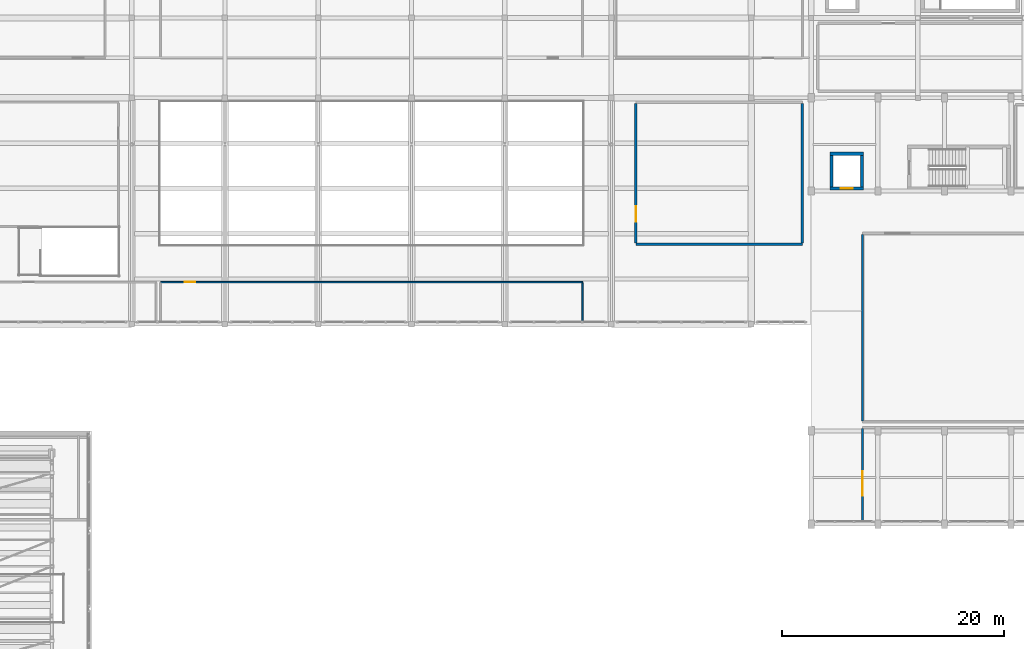
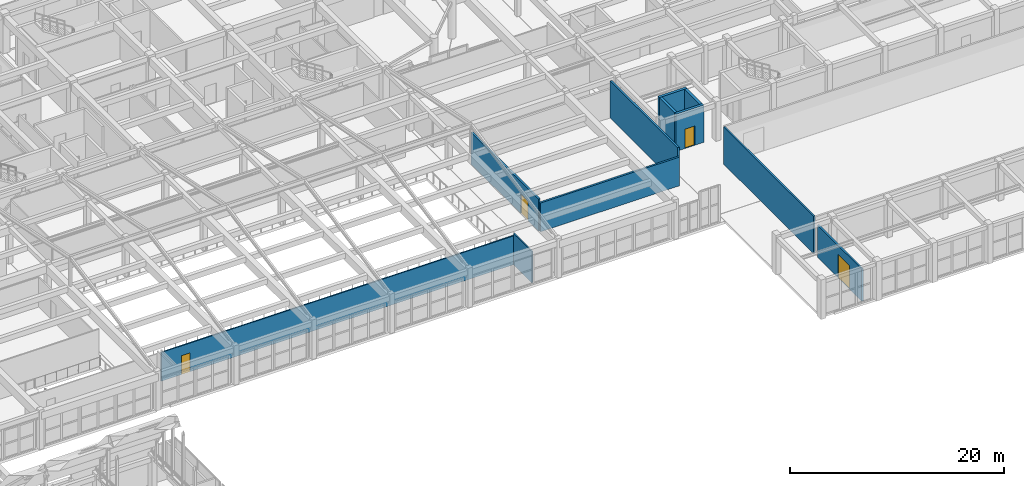
# One storey, part 66 of 91: 11 walls, 4 doors, 4 openings.
"""IFC4 building model written with IfcOpenShell, lengths in metres."""

from ifc_helpers import new_model, si_unit, direction, frame, frame_2d, origin, place, context, subcontext, project, spatial, rectangle, extrude, material, layer, layer_set, type_object, element, fill, save


model = new_model("IFC4")

# Units and contexts
model_context = context("Model", 3, precision=1e-05, world=origin(), true_north=direction((0.0, 1.0)))
body_context = subcontext(model_context, "Body", "Model", "MODEL_VIEW")
ifc_project = project(units=[si_unit("LENGTHUNIT", "METRE"), si_unit("AREAUNIT", "SQUARE_METRE"), si_unit("VOLUMEUNIT", "CUBIC_METRE"), si_unit("PLANEANGLEUNIT", "RADIAN"), si_unit("MASSUNIT", "GRAM", prefix="KILO")], contexts=[model_context])

# Site, building, storey
site_placement = place(None, origin())
site = spatial("IfcSite", under=ifc_project, at=site_placement, CompositionType="ELEMENT")
building_placement = place(site_placement, origin())
building = spatial("IfcBuilding", under=site, at=building_placement, Name="Tarnavel Promenade Courthouse", CompositionType="ELEMENT")
storey_placement = place(building_placement, frame((0.0, 0.0, 9.89990234375)))
storey = spatial("IfcBuildingStorey", under=building, at=storey_placement, Name="L03", CompositionType="ELEMENT", Elevation=9.89990234375)

# Wall
ifc_material_1 = material(Name="Concrete C40/50", Category="concrete")
ifc_layer_1 = layer(ifc_material_1, 0.280029296875)
ifc_layer_set_1 = layer_set([ifc_layer_1], Name="Concrete C40/50")
wall_type_1 = type_object("IfcWallType", Name="Concrete C40/50 WL-SHR-280 (280 mm)", PredefinedType="SHEAR", material=ifc_layer_set_1)
wall_1_placement = place(storey_placement, frame((121.699951171875, 62.159912109375, 0.0), z_axis=(0.0, 0.0, 1.0), x_axis=(1.0, 0.0, 0.0)))
element("IfcWall", 1, at=wall_1_placement, inside=storey, type_object=wall_type_1, Name="L03 L-PUB4 Lift Shaft North Wall", PredefinedType="SHEAR", context=body_context, shape_type="SweptSolid", body=[
    extrude(rectangle(XDim=3.0, YDim=0.280029296875, at=frame_2d((1.5, 0.0))), origin(), (0.0, 0.0, 1.0), 4.25),
])

# Wall, opening, door
wall_2_placement = place(storey_placement, frame((124.699951171875, 59.0400390625, 0.0), z_axis=(0.0, 0.0, 1.0), x_axis=(-1.0, 0.0, 0.0)))
wall_2 = element("IfcWall", 2, at=wall_2_placement, inside=storey, type_object=wall_type_1, Name="L03 L-PUB4 Lift Shaft South Wall", PredefinedType="SHEAR", context=body_context, shape_type="SweptSolid", body=[
    extrude(rectangle(XDim=3.0, YDim=0.280029296875, at=frame_2d((1.5, 0.0))), origin(), (0.0, 0.0, 1.0), 4.25),
])
opening_1_placement = place(wall_2_placement, frame((0.97509765625, 0.0, 0.0)))
opening_1 = element("IfcOpeningElement", 3, at=opening_1_placement, cuts=wall_2, Name="Opening LD-02", PredefinedType="OPENING", context=body_context, shape_type="SweptSolid", body=[
    extrude(rectangle(XDim=1.050048828125, YDim=2.199951171875, at=frame_2d((0.52490234375, 1.10009765625))), frame((0.0, 0.14990234375, 0.0), z_axis=(0.0, -1.0, 0.0), x_axis=(1.0, 0.0, 0.0)), (0.0, 0.0, 1.0), 0.300048828125),
])
ifc_material_2 = material(Name="Brushed Bronze Passenger Lift Landing Sliding Door")
door_type_1 = type_object("IfcDoorType", Name="Brushed Bronze Passenger Lift Landing Sliding Door (LD-PUB-1050x2200)", OperationType="NOTDEFINED", PredefinedType="DOOR", material=ifc_material_2)
door_1_placement = place(opening_1_placement, origin())
door_1 = element("IfcDoor", 4, at=door_1_placement, inside=storey, type_object=door_type_1, Name="L03 L-PUB4 Lift Sliding Landing Door", OperationType="DOUBLE_DOOR_SLIDING", OverallHeight=2.199951171875, OverallWidth=1.050048828125, PredefinedType="DOOR", context=body_context, shape_type="SweptSolid", body=[
    extrude(rectangle(XDim=1.050048828125, YDim=2.199951171875, at=frame_2d((0.52490234375, 1.10009765625))), frame((0.0, 0.02490234375, 0.0), z_axis=(0.0, -1.0, 0.0), x_axis=(1.0, 0.0, 0.0)), (0.0, 0.0, 1.0), 0.050048828125),
])
fill(opening_1, door_1)

# Walls
for number, where, z_axis, x_axis, name in (
    (5, (121.840087890625, 59.179931640625, 0.0), (0.0, 0.0, 1.0), (0.0, 1.0, 0.0), "L03 L-PUB4 Lift Shaft West Wall"),
    (6, (124.56005859375, 62.02001953125, 0.0), (0.0, 0.0, 1.0), (0.0, -1.0, 0.0), "L03 L-PUB4 Lift Shaft East Wall"),
):
    element("IfcWall", number, at=place(storey_placement, frame(where, z_axis=z_axis, x_axis=x_axis)), inside=storey, type_object=wall_type_1, Name=name, PredefinedType="SHEAR", context=body_context, shape_type="SweptSolid", body=[
        extrude(rectangle(XDim=2.840087890625, YDim=0.280029296875, at=frame_2d((1.419921875, 0.0))), origin(), (0.0, 0.0, 1.0), 4.25),
    ])
ifc_material_3 = material(Name="Concrete Masonry Fire Compartment Wall", Category="masonry")
ifc_layer_2 = layer(ifc_material_3, 0.205078125)
ifc_layer_set_2 = layer_set([ifc_layer_2], Name="Concrete Masonry Fire Compartment Wall")
wall_type_2 = type_object("IfcWallType", Name="Concrete Masonry Fire Compartment Wall WL-CMP-205 (205 mm)", PredefinedType="STANDARD", material=ifc_layer_set_2)
wall_3_placement = place(storey_placement, frame((119.199951171875, 54.0, 0.0), z_axis=(0.0, 0.0, 1.0), x_axis=(-1.0, 0.0, 0.0)))
element("IfcWall", 7, at=wall_3_placement, inside=storey, type_object=wall_type_2, Name="L03 Upper Balcony Judicial Press and Public Records Room Partition 0497", PredefinedType="STANDARD", context=body_context, shape_type="SweptSolid", body=[
    extrude(rectangle(XDim=15.0, YDim=0.205078125, at=frame_2d((7.5, 0.0))), origin(), (0.0, 0.0, 1.0), 3.280029296875),
])

# Wall, opening, door
wall_4_placement = place(storey_placement, frame((104.199951171875, 54.112548828125, 0.0), z_axis=(0.0, 0.0, 1.0), x_axis=(0.0, 1.0, 0.0)))
wall_4 = element("IfcWall", 8, at=wall_4_placement, inside=storey, type_object=wall_type_2, Name="L03 Upper Balcony Judicial Press and Public Records Room Partition 0498", PredefinedType="STANDARD", context=body_context, shape_type="SweptSolid", body=[
    extrude(rectangle(XDim=12.574951171875, YDim=0.205078125, at=frame_2d((6.28759765625, 0.0))), origin(), (0.0, 0.0, 1.0), 3.630126953125),
])
opening_2_placement = place(wall_4_placement, frame((1.92138671875, 0.0, 0.0)))
opening_2 = element("IfcOpeningElement", 9, at=opening_2_placement, cuts=wall_4, Name="Opening FD-04", PredefinedType="OPENING", context=body_context, shape_type="SweptSolid", body=[
    extrude(rectangle(XDim=1.39990234375, YDim=2.25, at=frame_2d((0.699951171875, 1.125))), frame((0.0, 0.112548828125, 0.0), z_axis=(0.0, -1.0, 0.0), x_axis=(1.0, 0.0, 0.0)), (0.0, 0.0, 1.0), 0.22509765625),
])
ifc_material_4 = material(Name="Heavy Steel Plant Room Fire Door", Category="steel")
door_type_2 = type_object("IfcDoorType", Name="Heavy Steel Plant Room Fire Door (DR-PLT-1400x2250)", OperationType="NOTDEFINED", PredefinedType="DOOR", material=ifc_material_4)
door_2_placement = place(opening_2_placement, origin())
door_2 = element("IfcDoor", 10, at=door_2_placement, inside=storey, type_object=door_type_2, Name="L03 Upper Balcony Judicial Press and Public Records Room Door 0142", OperationType="SINGLE_SWING_RIGHT", OverallHeight=2.25, OverallWidth=1.39990234375, PredefinedType="DOOR", context=body_context, shape_type="SweptSolid", body=[
    extrude(rectangle(XDim=1.39990234375, YDim=2.25, at=frame_2d((0.699951171875, 1.125))), frame((0.0, 0.02490234375, 0.0), z_axis=(0.0, -1.0, 0.0), x_axis=(1.0, 0.0, 0.0)), (0.0, 0.0, 1.0), 0.050048828125),
])
fill(opening_2, door_2)

# Walls
wall_5_placement = place(storey_placement, frame((119.199951171875, 66.6875, 0.0), z_axis=(0.0, 0.0, 1.0), x_axis=(0.0, -1.0, 0.0)))
element("IfcWall", 11, at=wall_5_placement, inside=storey, type_object=wall_type_2, Name="L03 Upper Balcony Judicial Press and Public Records Room Partition 0499", PredefinedType="STANDARD", context=body_context, shape_type="SweptSolid", body=[
    extrude(rectangle(XDim=12.574951171875, YDim=0.205078125, at=frame_2d((6.28759765625, 0.0))), origin(), (0.0, 0.0, 1.0), 4.235107421875),
])
ifc_material_5 = material(Name="Double-Stud Acoustic Courtroom Partition Assembly", Category="gypsum")
ifc_layer_3 = layer(ifc_material_5, 0.18505859375)
ifc_layer_set_3 = layer_set([ifc_layer_3], Name="Double-Stud Acoustic Courtroom Partition Assembly")
wall_type_3 = type_object("IfcWallType", Name="Double-Stud Acoustic Courtroom Partition Assembly WL-CRT-185 (185 mm)", PredefinedType="PARTITIONING", material=ifc_layer_set_3)
wall_6_placement = place(storey_placement, frame((124.60009765625, 38.1025390625, 0.0), z_axis=(0.0, 0.0, 1.0), x_axis=(0.0, 1.0, 0.0)))
element("IfcWall", 12, at=wall_6_placement, inside=storey, type_object=wall_type_3, Name="L03 Ceremonial Courtroom Partition 0509", PredefinedType="PARTITIONING", context=body_context, shape_type="SweptSolid", body=[
    extrude(rectangle(XDim=16.794921875, YDim=0.18505859375, at=frame_2d((8.3974609375, 0.0))), origin(), (0.0, 0.0, 1.0), 4.235107421875),
])

# Wall, opening, door
wall_7_placement = place(storey_placement, frame((124.60009765625, 29.110107421875, 0.0), z_axis=(0.0, 0.0, 1.0), x_axis=(0.0, 1.0, 0.0)))
wall_7 = element("IfcWall", 13, at=wall_7_placement, inside=storey, type_object=wall_type_3, Name="L03 Ceremonial Courtroom South Public Gallery Partition 0511", PredefinedType="PARTITIONING", context=body_context, shape_type="SweptSolid", body=[
    extrude(rectangle(XDim=8.287353515625, YDim=0.18505859375, at=frame_2d((4.1435546875, 0.0))), origin(), (0.0, 0.0, 1.0), 3.68017578125),
])
opening_3_placement = place(wall_7_placement, frame((2.235595703125, 0.0, 0.0)))
opening_3 = element("IfcOpeningElement", 14, at=opening_3_placement, cuts=wall_7, Name="Opening ID-02", PredefinedType="OPENING", context=body_context, shape_type="SweptSolid", body=[
    extrude(rectangle(XDim=2.199951171875, YDim=2.699951171875, at=frame_2d((1.10009765625, 1.35009765625))), frame((0.0, 0.1025390625, 0.0), z_axis=(0.0, -1.0, 0.0), x_axis=(1.0, 0.0, 0.0)), (0.0, 0.0, 1.0), 0.205078125),
])
ifc_material_6 = material(Name="Carved Walnut Ceremonial Courtroom Double Door")
door_type_3 = type_object("IfcDoorType", Name="Carved Walnut Ceremonial Courtroom Double Door (DR-CER-2200x2700)", OperationType="NOTDEFINED", PredefinedType="DOOR", material=ifc_material_6)
door_3_placement = place(opening_3_placement, origin())
door_3 = element("IfcDoor", 15, at=door_3_placement, inside=storey, type_object=door_type_3, Name="L03 Ceremonial Courtroom South Public Gallery Door 0146", OperationType="DOUBLE_DOOR_SINGLE_SWING", OverallHeight=2.699951171875, OverallWidth=2.199951171875, PredefinedType="DOOR", context=body_context, shape_type="SweptSolid", body=[
    extrude(rectangle(XDim=2.199951171875, YDim=2.699951171875, at=frame_2d((1.10009765625, 1.35009765625))), frame((0.0, 0.02490234375, 0.0), z_axis=(0.0, -1.0, 0.0), x_axis=(1.0, 0.0, 0.0)), (0.0, 0.0, 1.0), 0.050048828125),
])
fill(opening_3, door_3)

ifc_material_7 = material(Name="Metal-Stud Acoustic Gypsum Partition", Category="gypsum")
ifc_layer_4 = layer(ifc_material_7, 0.135009765625)
ifc_layer_set_4 = layer_set([ifc_layer_4], Name="Metal-Stud Acoustic Gypsum Partition")
wall_type_4 = type_object("IfcWallType", Name="Metal-Stud Acoustic Gypsum Partition WL-OFF-135 (135 mm)", PredefinedType="PARTITIONING", material=ifc_layer_set_4)
wall_8_placement = place(storey_placement, frame((61.39990234375, 50.60009765625, 0.0), z_axis=(0.0, 0.0, 1.0), x_axis=(1.0, 0.0, 0.0)))
wall_8 = element("IfcWall", 16, at=wall_8_placement, inside=storey, type_object=wall_type_4, Name="L03 Upper Balcony Community Seminar and Exhibition Room Partition 0481", PredefinedType="PARTITIONING", context=body_context, shape_type="SweptSolid", body=[
    extrude(rectangle(XDim=38.0, YDim=0.135009765625, at=frame_2d((19.0, 0.0))), origin(), (0.0, 0.0, 1.0), 3.280029296875),
])
opening_4_placement = place(wall_8_placement, frame((2.16748046875, 0.0, 0.0)))
opening_4 = element("IfcOpeningElement", 17, at=opening_4_placement, cuts=wall_8, Name="Opening ID-06", PredefinedType="OPENING", context=body_context, shape_type="SweptSolid", body=[
    extrude(rectangle(XDim=0.949951171875, YDim=2.14990234375, at=frame_2d((0.47509765625, 1.074951171875))), frame((0.0, 0.077392578125, 0.0), z_axis=(0.0, -1.0, 0.0), x_axis=(1.0, 0.0, 0.0)), (0.0, 0.0, 1.0), 0.155029296875),
])
ifc_material_8 = material(Name="Acoustic Timber Veneer Office Door", Category="wood")
door_type_4 = type_object("IfcDoorType", Name="Acoustic Timber Veneer Office Door (DR-OFF-0950x2150)", OperationType="NOTDEFINED", PredefinedType="DOOR", material=ifc_material_8)
door_4_placement = place(opening_4_placement, origin())
door_4 = element("IfcDoor", 18, at=door_4_placement, inside=storey, type_object=door_type_4, Name="L03 Upper Balcony Community Seminar and Exhibition Room Door 0138", OperationType="SINGLE_SWING_RIGHT", OverallHeight=2.14990234375, OverallWidth=0.949951171875, PredefinedType="DOOR", context=body_context, shape_type="SweptSolid", body=[
    extrude(rectangle(XDim=0.949951171875, YDim=2.14990234375, at=frame_2d((0.47509765625, 1.074951171875))), frame((0.0, 0.02490234375, 0.0), z_axis=(0.0, -1.0, 0.0), x_axis=(1.0, 0.0, 0.0)), (0.0, 0.0, 1.0), 0.050048828125),
])
fill(opening_4, door_4)

# Wall
wall_9_placement = place(storey_placement, frame((99.39990234375, 50.5224609375, 0.0), z_axis=(0.0, 0.0, 1.0), x_axis=(0.0, -1.0, 0.0)))
element("IfcWall", 19, at=wall_9_placement, inside=storey, type_object=wall_type_4, Name="L03 Upper Balcony Community Seminar and Exhibition Room Partition 0483", PredefinedType="PARTITIONING", context=body_context, shape_type="SweptSolid", body=[
    extrude(rectangle(XDim=3.432373046875, YDim=0.135009765625, at=frame_2d((1.71630859375, 0.0))), origin(), (0.0, 0.0, 1.0), 3.580078125),
])

save(model, "model.ifc")
